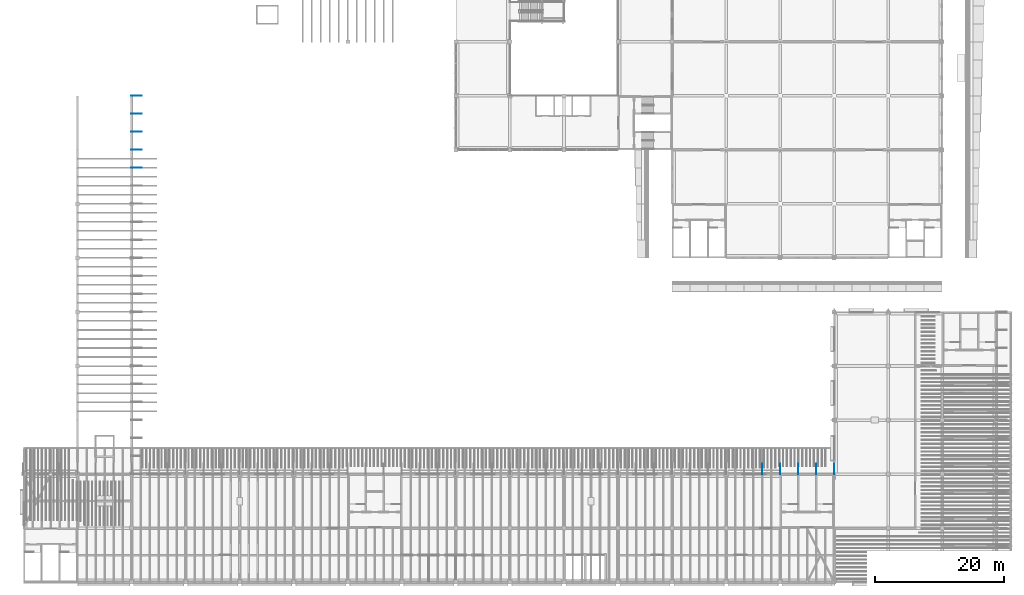
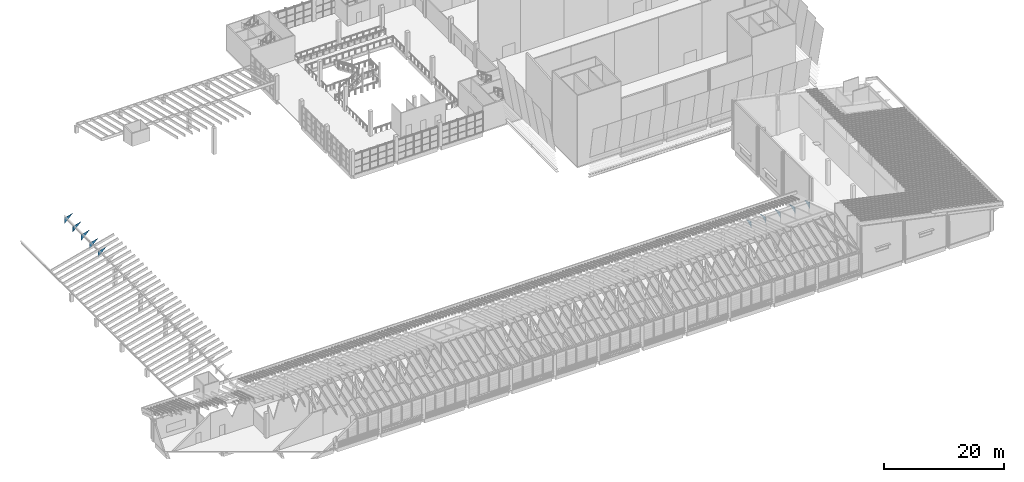
# One storey, part 29 of 59: 10 discrete accessories.
"""IFC4 building model written with IfcOpenShell, lengths in metres."""

from ifc_helpers import new_model, si_unit, direction, frame, origin, place, context, subcontext, project, spatial, polyline, outline, extrude, material, type_object, element, save


model = new_model("IFC4")

# Units and contexts
model_context = context("Model", 3, precision=1e-05, world=origin(), true_north=direction((0.0, 1.0)))
body_context = subcontext(model_context, "Body", "Model", "MODEL_VIEW")
ifc_project = project(units=[si_unit("LENGTHUNIT", "METRE"), si_unit("AREAUNIT", "SQUARE_METRE"), si_unit("VOLUMEUNIT", "CUBIC_METRE"), si_unit("PLANEANGLEUNIT", "RADIAN"), si_unit("MASSUNIT", "GRAM", prefix="KILO")], contexts=[model_context])

# Site, building, storey
site_placement = place(None, origin())
site = spatial("IfcSite", under=ifc_project, at=site_placement, CompositionType="ELEMENT")
building_placement = place(site_placement, origin())
building = spatial("IfcBuilding", under=site, at=building_placement, Name="Almond Square Museum", CompositionType="ELEMENT")
storey_placement = place(building_placement, frame((0.0, 0.0, 25.0)))
storey = spatial("IfcBuildingStorey", under=building, at=storey_placement, Name="L04", CompositionType="ELEMENT", Elevation=25.0)

# Discrete accessories
ifc_material = material(Name="Structural steel S355", Category="steel")
discrete_accessory_type = type_object("IfcDiscreteAccessoryType", Name="Eave knee bracket", PredefinedType="BRACKET", material=ifc_material)
for number, where, z_axis, x_axis, name in (
    (1, (22.760009765625, 64.39990234375, 3.779296875), (0.0, -1.0, 0.0), (0.0, 0.0, -1.0), "Eave knee bracket W.22.18"),
    (2, (22.760009765625, 67.199951171875, 3.779296875), (0.0, -1.0, 0.0), (0.0, 0.0, -1.0), "Eave knee bracket W.22.19"),
    (3, (22.760009765625, 70.0, 3.779296875), (0.0, -1.0, 0.0), (0.0, 0.0, -1.0), "Eave knee bracket W.22.20"),
    (4, (22.760009765625, 72.800048828125, 3.779296875), (0.0, -1.0, 0.0), (0.0, 0.0, -1.0), "Eave knee bracket W.22.21"),
    (5, (22.760009765625, 75.60009765625, 3.779296875), (0.0, -1.0, 0.0), (0.0, 0.0, -1.0), "Eave knee bracket W.22.22"),
):
    element("IfcDiscreteAccessory", number, at=place(storey_placement, frame(where, z_axis=z_axis, x_axis=x_axis)), inside=storey, type_object=discrete_accessory_type, Name=name, PredefinedType="BRACKET", context=body_context, shape_type="SweptSolid", body=[
        extrude(outline(polyline([(0.0, 0.0), (1.199951171875, 0.0), (-0.429443359375, 1.639892578125), (0.0, 0.0)])), frame((0.0, 0.0, -0.01513671875)), (0.0, 0.0, 1.0), 0.030029296875),
    ])
for number, where, z_axis, x_axis, name in (
    (6, (120.800048828125, 16.760009765625, 4.39208984375), (1.0, 0.0, 0.0), (0.0, 0.0, -1.0), "Eave knee bracket G.16.42"),
    (7, (123.60009765625, 16.760009765625, 4.39208984375), (1.0, 0.0, 0.0), (0.0, 0.0, -1.0), "Eave knee bracket G.16.43"),
    (8, (126.39990234375, 16.760009765625, 4.39208984375), (1.0, 0.0, 0.0), (0.0, 0.0, -1.0), "Eave knee bracket G.16.44"),
    (9, (129.199951171875, 16.760009765625, 4.39208984375), (1.0, 0.0, 0.0), (0.0, 0.0, -1.0), "Eave knee bracket G.16.45"),
    (10, (132.0, 16.760009765625, 4.39208984375), (1.0, 0.0, 0.0), (0.0, 0.0, -1.0), "Eave knee bracket G.16.46"),
):
    element("IfcDiscreteAccessory", number, at=place(storey_placement, frame(where, z_axis=z_axis, x_axis=x_axis)), inside=storey, type_object=discrete_accessory_type, Name=name, PredefinedType="BRACKET", context=body_context, shape_type="SweptSolid", body=[
        extrude(outline(polyline([(0.0, 0.0), (1.199951171875, 0.0), (0.53271484375, 1.639892578125), (0.0, 0.0)])), frame((0.0, 0.0, -0.01513671875)), (0.0, 0.0, 1.0), 0.030029296875),
    ])

save(model, "model.ifc")
